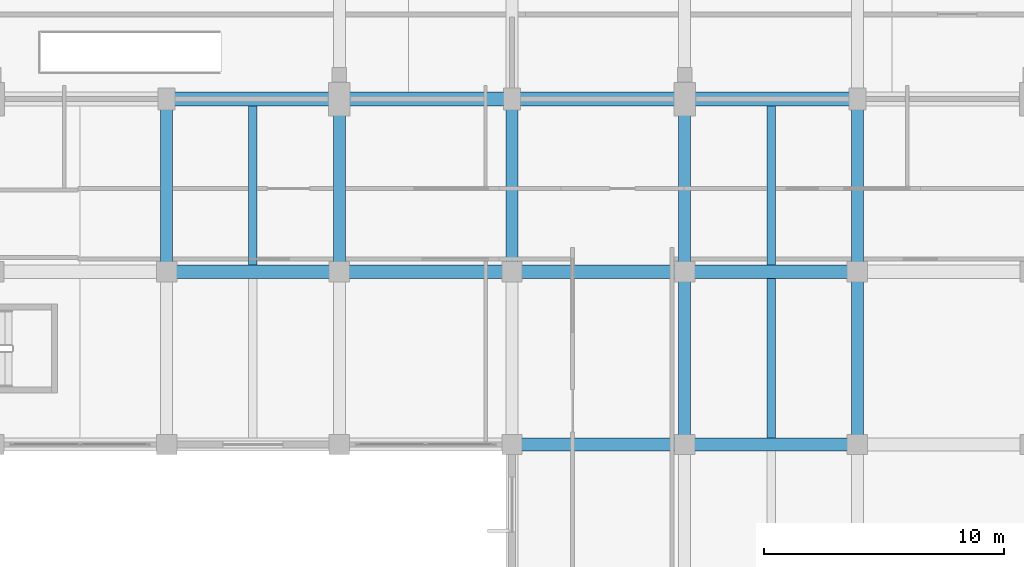
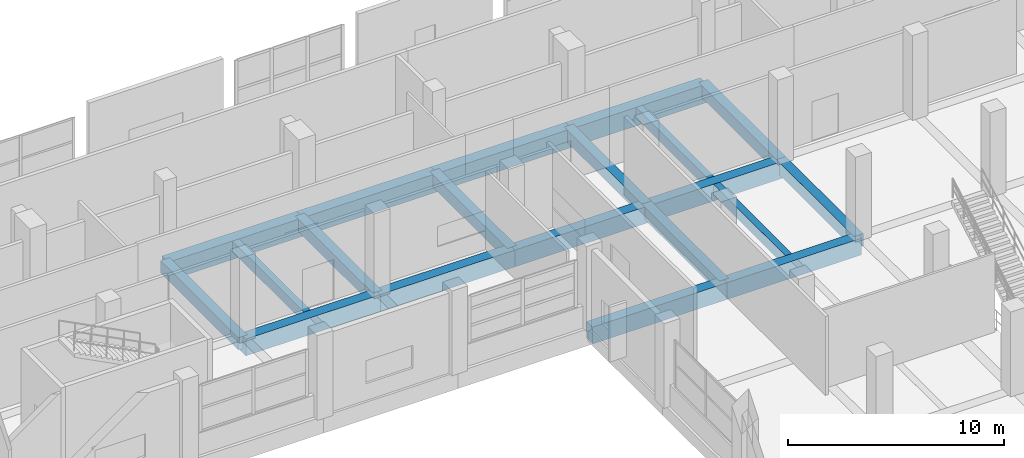
# One storey, part 87 of 181: 20 beams.
"""IFC4 building model written with IfcOpenShell, lengths in metres."""

from ifc_helpers import new_model, si_unit, direction, frame, origin, origin_2d, place, context, subcontext, project, spatial, rectangle, extrude, material, material_profile, profile_set, type_object, element, save


model = new_model("IFC4")

# Units and contexts
model_context = context("Model", 3, precision=1e-05, world=origin(), true_north=direction((0.0, 1.0)))
body_context = subcontext(model_context, "Body", "Model", "MODEL_VIEW")
ifc_project = project(units=[si_unit("LENGTHUNIT", "METRE"), si_unit("AREAUNIT", "SQUARE_METRE"), si_unit("VOLUMEUNIT", "CUBIC_METRE"), si_unit("PLANEANGLEUNIT", "RADIAN"), si_unit("MASSUNIT", "GRAM", prefix="KILO")], contexts=[model_context])

# Site, building, storey
site_placement = place(None, origin())
site = spatial("IfcSite", under=ifc_project, at=site_placement, CompositionType="ELEMENT")
building_placement = place(site_placement, origin())
building = spatial("IfcBuilding", under=site, at=building_placement, Name="Seraya Terrace Polytechnic", CompositionType="ELEMENT")
storey_placement = place(building_placement, frame((0.0, 0.0, 4.800048828125)))
storey = spatial("IfcBuildingStorey", under=building, at=storey_placement, Name="L01", CompositionType="ELEMENT", Elevation=4.800048828125)

# Beams
ifc_material = material(Name="Concrete C40/50", Category="concrete")
ifc_material_profile_1 = material_profile(ifc_material, rectangle(XDim=0.60009765625, YDim=1.050048828125, at=origin_2d()), Name="RC 600x1050")
ifc_profile_set_1 = profile_set([ifc_material_profile_1], Name="Concrete C40/50")
beam_type_1 = type_object("IfcBeamType", Name="BM-01", PredefinedType="BEAM", material=ifc_profile_set_1)
for number, where, z_axis, x_axis, name in (
    (1, (64.800048828125, 79.199951171875, -0.525146484375), (1.0, 0.0, 0.0), (0.0, 1.0, 0.0), "Beam BM-01 L01 X (64.8..72.0, 79.2)"),
    (2, (72.0, 79.199951171875, -0.525146484375), (1.0, 0.0, 0.0), (0.0, 1.0, 0.0), "Beam BM-01 L01 X (72.0..79.2, 79.2)"),
    (3, (79.199951171875, 79.199951171875, -0.525146484375), (1.0, 0.0, 0.0), (0.0, 1.0, 0.0), "Beam BM-01 L01 X (79.2..86.4, 79.2)"),
):
    element("IfcBeam", number, at=place(storey_placement, frame(where, z_axis=z_axis, x_axis=x_axis)), inside=storey, type_object=beam_type_1, Name=name, PredefinedType="BEAM", context=body_context, shape_type="SweptSolid", body=[
        extrude(rectangle(XDim=0.60009765625, YDim=1.050048828125, at=origin_2d()), origin(), (0.0, 0.0, 1.0), 7.199951171875),
    ])
beam_1_placement = place(storey_placement, frame((86.39990234375, 79.199951171875, -0.525146484375), z_axis=(1.0, 0.0, 0.0), x_axis=(0.0, 1.0, 0.0)))
element("IfcBeam", 4, at=beam_1_placement, inside=storey, type_object=beam_type_1, Name="Beam BM-01 L01 X (86.4..93.6, 79.2)", PredefinedType="BEAM", context=body_context, shape_type="SweptSolid", body=[
    extrude(rectangle(XDim=0.60009765625, YDim=1.050048828125, at=origin_2d()), origin(), (0.0, 0.0, 1.0), 7.2001953125),
])
ifc_material_profile_2 = material_profile(ifc_material, rectangle(XDim=0.550048828125, YDim=0.949951171875, at=origin_2d()), Name="RC 550x950")
ifc_profile_set_2 = profile_set([ifc_material_profile_2], Name="Concrete C40/50")
beam_type_2 = type_object("IfcBeamType", Name="BM-03", PredefinedType="BEAM", material=ifc_profile_set_2)
beam_2_placement = place(storey_placement, frame((79.199951171875, 64.800048828125, -0.47509765625), z_axis=(1.0, 0.0, 0.0), x_axis=(0.0, 1.0, 0.0)))
element("IfcBeam", 5, at=beam_2_placement, inside=storey, type_object=beam_type_2, Name="Beam BM-03 L01 X (79.2..86.4, 64.8)", PredefinedType="BEAM", context=body_context, shape_type="SweptSolid", body=[
    extrude(rectangle(XDim=0.550048828125, YDim=0.949951171875, at=origin_2d()), origin(), (0.0, 0.0, 1.0), 7.199951171875),
])
beam_3_placement = place(storey_placement, frame((86.39990234375, 64.800048828125, -0.47509765625), z_axis=(1.0, 0.0, 0.0), x_axis=(0.0, 1.0, 0.0)))
element("IfcBeam", 6, at=beam_3_placement, inside=storey, type_object=beam_type_2, Name="Beam BM-03 L01 X (86.4..93.6, 64.8)", PredefinedType="BEAM", context=body_context, shape_type="SweptSolid", body=[
    extrude(rectangle(XDim=0.550048828125, YDim=0.949951171875, at=origin_2d()), origin(), (0.0, 0.0, 1.0), 7.2001953125),
])
for number, where, z_axis, x_axis, name in (
    (7, (64.800048828125, 72.0, -0.47509765625), (1.0, 0.0, 0.0), (0.0, 1.0, 0.0), "Beam BM-03 L01 X (64.8..72.0, 72.0)"),
    (8, (72.0, 72.0, -0.47509765625), (1.0, 0.0, 0.0), (0.0, 1.0, 0.0), "Beam BM-03 L01 X (72.0..79.2, 72.0)"),
    (9, (79.199951171875, 72.0, -0.47509765625), (1.0, 0.0, 0.0), (0.0, 1.0, 0.0), "Beam BM-03 L01 X (79.2..86.4, 72.0)"),
):
    element("IfcBeam", number, at=place(storey_placement, frame(where, z_axis=z_axis, x_axis=x_axis)), inside=storey, type_object=beam_type_2, Name=name, PredefinedType="BEAM", context=body_context, shape_type="SweptSolid", body=[
        extrude(rectangle(XDim=0.550048828125, YDim=0.949951171875, at=origin_2d()), origin(), (0.0, 0.0, 1.0), 7.199951171875),
    ])
beam_4_placement = place(storey_placement, frame((86.39990234375, 72.0, -0.47509765625), z_axis=(1.0, 0.0, 0.0), x_axis=(0.0, 1.0, 0.0)))
element("IfcBeam", 10, at=beam_4_placement, inside=storey, type_object=beam_type_2, Name="Beam BM-03 L01 X (86.4..93.6, 72.0)", PredefinedType="BEAM", context=body_context, shape_type="SweptSolid", body=[
    extrude(rectangle(XDim=0.550048828125, YDim=0.949951171875, at=origin_2d()), origin(), (0.0, 0.0, 1.0), 7.2001953125),
])
ifc_material_profile_3 = material_profile(ifc_material, rectangle(XDim=0.5, YDim=0.699951171875, at=origin_2d()), Name="RC 500x700")
ifc_profile_set_3 = profile_set([ifc_material_profile_3], Name="Concrete C40/50")
beam_type_3 = type_object("IfcBeamType", Name="BM-07", PredefinedType="BEAM", material=ifc_profile_set_3)
for number, where, z_axis, x_axis, name in (
    (11, (64.800048828125, 72.0, -0.35009765625), (0.0, 1.0, 0.0), (-1.0, 0.0, 0.0), "Beam BM-07 L01 Y (64.8, 72.0..79.2)"),
    (12, (72.0, 72.0, -0.35009765625), (0.0, 1.0, 0.0), (-1.0, 0.0, 0.0), "Beam BM-07 L01 Y (72.0, 72.0..79.2)"),
    (13, (79.199951171875, 72.0, -0.35009765625), (0.0, 1.0, 0.0), (-1.0, 0.0, 0.0), "Beam BM-07 L01 Y (79.2, 72.0..79.2)"),
    (14, (86.39990234375, 64.800048828125, -0.35009765625), (0.0, 1.0, 0.0), (-1.0, 0.0, 0.0), "Beam BM-07 L01 Y (86.4, 64.8..72.0)"),
    (15, (86.39990234375, 72.0, -0.35009765625), (0.0, 1.0, 0.0), (-1.0, 0.0, 0.0), "Beam BM-07 L01 Y (86.4, 72.0..79.2)"),
    (16, (93.60009765625, 64.800048828125, -0.35009765625), (0.0, 1.0, 0.0), (-1.0, 0.0, 0.0), "Beam BM-07 L01 Y (93.6, 64.8..72.0)"),
    (17, (93.60009765625, 72.0, -0.35009765625), (0.0, 1.0, 0.0), (-1.0, 0.0, 0.0), "Beam BM-07 L01 Y (93.6, 72.0..79.2)"),
):
    element("IfcBeam", number, at=place(storey_placement, frame(where, z_axis=z_axis, x_axis=x_axis)), inside=storey, type_object=beam_type_3, Name=name, PredefinedType="BEAM", context=body_context, shape_type="SweptSolid", body=[
        extrude(rectangle(XDim=0.5, YDim=0.699951171875, at=origin_2d()), origin(), (0.0, 0.0, 1.0), 7.199951171875),
    ])
ifc_material_profile_4 = material_profile(ifc_material, rectangle(XDim=0.35009765625, YDim=0.60009765625, at=origin_2d()), Name="RC 350x600")
ifc_profile_set_4 = profile_set([ifc_material_profile_4], Name="Concrete C40/50")
beam_type_4 = type_object("IfcBeamType", Name="JS-02", PredefinedType="JOIST", material=ifc_profile_set_4)
beam_5_placement = place(storey_placement, frame((68.39990234375, 72.27490234375, -0.300048828125), z_axis=(0.0, 1.0, 0.0), x_axis=(-1.0, 0.0, 0.0)))
element("IfcBeam", 18, at=beam_5_placement, inside=storey, type_object=beam_type_4, Name="Secondary joist JS-02 L01", PredefinedType="JOIST", context=body_context, shape_type="SweptSolid", body=[
    extrude(rectangle(XDim=0.35009765625, YDim=0.60009765625, at=origin_2d()), origin(), (0.0, 0.0, 1.0), 6.625),
])
beam_6_placement = place(storey_placement, frame((90.0, 65.074951171875, -0.300048828125), z_axis=(0.0, 1.0, 0.0), x_axis=(-1.0, 0.0, 0.0)))
element("IfcBeam", 19, at=beam_6_placement, inside=storey, type_object=beam_type_4, Name="Secondary joist JS-02 L01", PredefinedType="JOIST", context=body_context, shape_type="SweptSolid", body=[
    extrude(rectangle(XDim=0.35009765625, YDim=0.60009765625, at=origin_2d()), origin(), (0.0, 0.0, 1.0), 6.650146484375),
])
beam_7_placement = place(storey_placement, frame((90.0, 72.27490234375, -0.300048828125), z_axis=(0.0, 1.0, 0.0), x_axis=(-1.0, 0.0, 0.0)))
element("IfcBeam", 20, at=beam_7_placement, inside=storey, type_object=beam_type_4, Name="Secondary joist JS-02 L01", PredefinedType="JOIST", context=body_context, shape_type="SweptSolid", body=[
    extrude(rectangle(XDim=0.35009765625, YDim=0.60009765625, at=origin_2d()), origin(), (0.0, 0.0, 1.0), 6.625),
])

save(model, "model.ifc")
